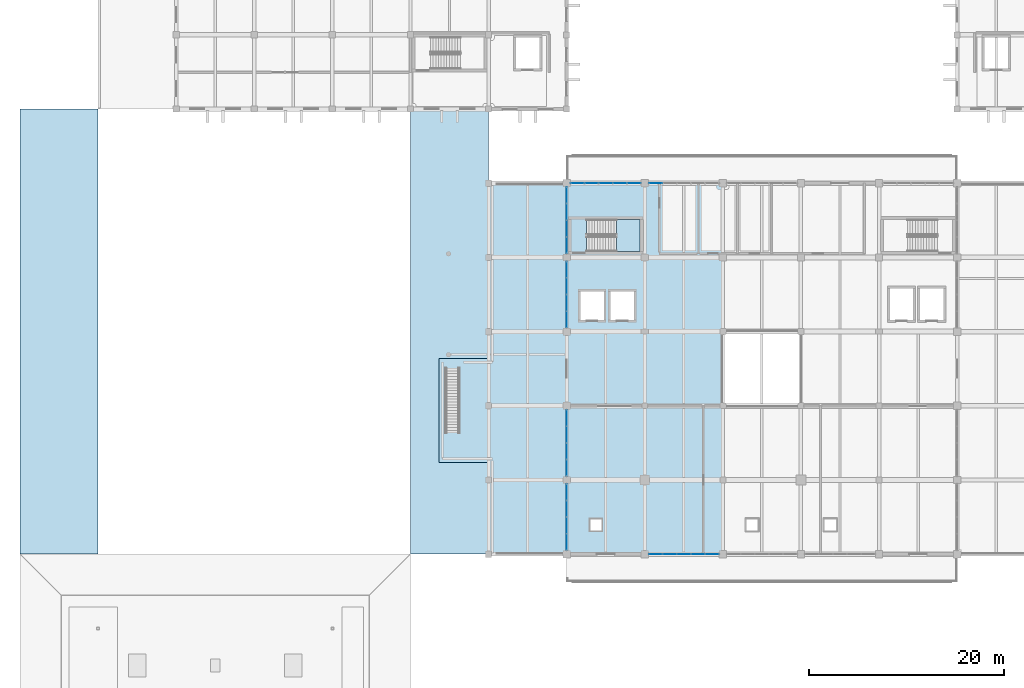
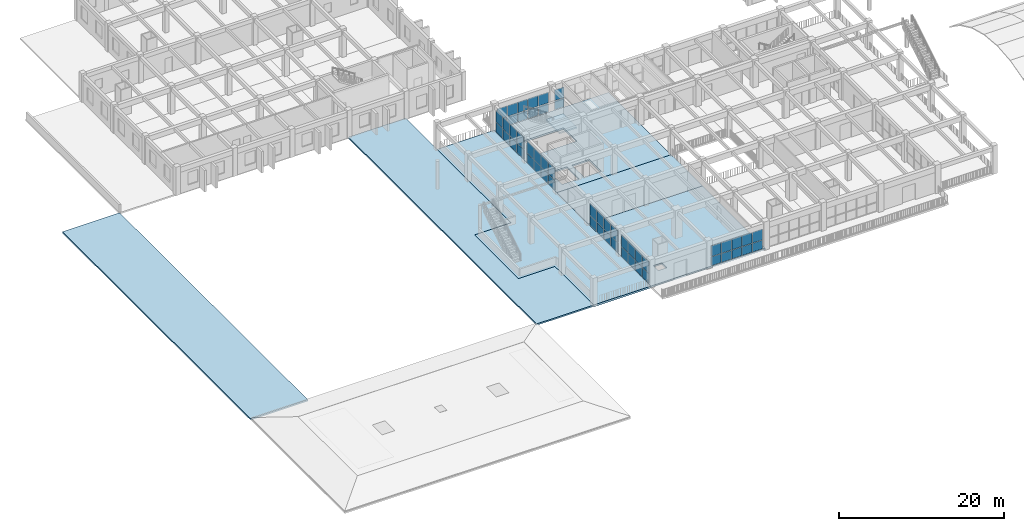
# One storey, part 32 of 63: 54 plates, 7 slabs, 8 elements without a shape of their own.
"""IFC4 building model written with IfcOpenShell, lengths in metres."""

from ifc_helpers import new_model, si_unit, direction, frame, origin, origin_2d, place, context, subcontext, project, spatial, polyline, rectangle, outline, extrude, material, layer, layer_set, type_object, element, aggregate, save


model = new_model("IFC4")

# Units and contexts
model_context = context("Model", 3, precision=1e-05, world=origin(), true_north=direction((0.0, 1.0)))
body_context = subcontext(model_context, "Body", "Model", "MODEL_VIEW")
ifc_project = project(units=[si_unit("LENGTHUNIT", "METRE"), si_unit("AREAUNIT", "SQUARE_METRE"), si_unit("VOLUMEUNIT", "CUBIC_METRE"), si_unit("PLANEANGLEUNIT", "RADIAN"), si_unit("MASSUNIT", "GRAM", prefix="KILO")], contexts=[model_context])

# Site, building, storey
site_placement = place(None, origin())
site = spatial("IfcSite", under=ifc_project, at=site_placement, CompositionType="ELEMENT")
building_placement = place(site_placement, origin())
building = spatial("IfcBuilding", under=site, at=building_placement, Name="Zantavel Square City Hall", CompositionType="ELEMENT")
storey_placement = place(building_placement, frame((0.0, 0.0, 14.699951171875)))
storey = spatial("IfcBuildingStorey", under=building, at=storey_placement, Name="L04", CompositionType="ELEMENT", Elevation=14.699951171875)

# Stair, slab
ifc_material_1 = material(Name="Concrete C35/45", Category="concrete")
stair_type = type_object("IfcStairType", Name="Enclosed Core Dogleg Stair L04 H4200", PredefinedType="HALF_TURN_STAIR", material=ifc_material_1)
stair_placement = place(storey_placement, origin())
stair = element("IfcStair", 1, at=stair_placement, inside=storey, type_object=stair_type, Name="L04 Exit Stair 5 Central West Core", PredefinedType="HALF_TURN_STAIR")
ifc_layer_1 = layer(ifc_material_1, 0.2099609375, Name="Concrete C35/45")
ifc_layer_set_1 = layer_set([ifc_layer_1], Name="Concrete C35/45")
slab_type_1 = type_object("IfcSlabType", Name="Core Stair Half-Landing Slab C35/45", PredefinedType="LANDING", material=ifc_layer_set_1)
slab_1_placement = place(storey_placement, frame((0.0, 0.0, 1.900146484375)))
slab_1 = element("IfcSlab", 2, at=slab_1_placement, type_object=slab_type_1, Name="ST5 landing 1", PredefinedType="LANDING", context=body_context, shape_type="SweptSolid", body=[
    extrude(outline(polyline([(69.110107421875, 61.39990234375), (71.530029296875, 61.39990234375), (71.530029296875, 64.669921875), (69.110107421875, 64.669921875), (69.110107421875, 61.39990234375)])), origin(), (0.0, 0.0, 1.0), 0.199951171875),
])
aggregate(stair, [slab_1])

# Slabs
ifc_layer_2 = layer(ifc_material_1, 0.219970703125, Name="Concrete C35/45")
ifc_layer_set_2 = layer_set([ifc_layer_2], Name="Concrete C35/45")
slab_type_2 = type_object("IfcSlabType", Name="Insulated Flat Roof Slab 220mm C35/45", PredefinedType="ROOF", material=ifc_layer_set_2)
slab_2_placement = place(storey_placement, frame((0.0, 0.0, -0.219970703125)))
element("IfcSlab", 3, at=slab_2_placement, inside=storey, type_object=slab_type_2, Name="L04 Insulated Flat Roof Slab SLB-ROOF-V3-MANSARD-BASE2-1", PredefinedType="ROOF", context=body_context, shape_type="SweptSolid", body=[
    extrude(outline(polyline([(8.0, 76.0), (16.0, 76.0), (16.0, 30.39990234375), (8.0, 30.39990234375), (8.0, 76.0)])), origin(), (0.0, 0.0, 1.0), 0.219970703125),
])
slab_3_placement = place(storey_placement, frame((0.0, 0.0, -0.219970703125)))
element("IfcSlab", 4, at=slab_3_placement, inside=storey, type_object=slab_type_2, Name="L04 Insulated Flat Roof Slab SLB-ROOF-V3-MANSARD-BASE3-1", PredefinedType="ROOF", context=body_context, shape_type="SweptSolid", body=[
    extrude(outline(polyline([(56.0, 30.39990234375), (48.0, 30.39990234375), (48.0, 76.0), (56.0, 76.0), (56.0, 68.39990234375), (56.0, 50.449951171875), (50.89990234375, 50.449951171875), (50.89990234375, 39.800048828125), (56.0, 39.800048828125), (56.0, 30.39990234375)])), origin(), (0.0, 0.0, 1.0), 0.219970703125),
])

# Curtain wall, plates
ifc_material_2 = material(Name="Anodised aluminium 6063-T6", Category="aluminium")
curtain_wall_type_1 = type_object("IfcCurtainWallType", Name="Curtain Wall TRV1 7250x3070", PredefinedType="USERDEFINED", material=ifc_material_2)
curtain_wall_1_placement = place(storey_placement, origin())
curtain_wall_1 = element("IfcCurtainWall", 5, at=curtain_wall_1_placement, inside=storey, type_object=curtain_wall_type_1, Name="L04 Glazed Curtain Wall CW-L04-107", ObjectType="GLAZED CURTAIN WALL", PredefinedType="USERDEFINED")
ifc_material_3 = material(Name="Tempered safety glass low-E double glazing", Category="glass")
ifc_layer_3 = layer(ifc_material_3, 0.028076171875, Name="Tempered safety glass low-E double glazing")
ifc_layer_set_3 = layer_set([ifc_layer_3], Name="Tempered safety glass low-E double glazing")
plate_type_1 = type_object("IfcPlateType", Name="Low-E Curtain Glazing Panel 1450x1535x28", PredefinedType="CURTAIN_PANEL", material=ifc_layer_set_3)
plate_1_placement = place(storey_placement, frame((65.114990234375, 68.39990234375, 0.06005859375), z_axis=(0.0, 0.0, 1.0), x_axis=(1.0, 0.0, 0.0)))
plate_1 = element("IfcPlate", 6, at=plate_1_placement, type_object=plate_type_1, Name="CW-107 panel 1.1", PredefinedType="CURTAIN_PANEL", context=body_context, shape_type="SweptSolid", body=[
    extrude(rectangle(XDim=1.360107421875, YDim=0.028076171875, at=origin_2d()), origin(), (0.0, 0.0, 1.0), 1.291015625),
])
plate_2_placement = place(storey_placement, frame((65.114990234375, 68.39990234375, 1.410888671875), z_axis=(0.0, 0.0, 1.0), x_axis=(1.0, 0.0, 0.0)))
plate_2 = element("IfcPlate", 7, at=plate_2_placement, type_object=plate_type_1, Name="CW-107 panel 1.2", PredefinedType="CURTAIN_PANEL", context=body_context, shape_type="SweptSolid", body=[
    extrude(rectangle(XDim=1.360107421875, YDim=0.028076171875, at=origin_2d()), origin(), (0.0, 0.0, 1.0), 1.59912109375),
])
plate_3_placement = place(storey_placement, frame((66.550048828125, 68.39990234375, 0.06005859375), z_axis=(0.0, 0.0, 1.0), x_axis=(1.0, 0.0, 0.0)))
plate_3 = element("IfcPlate", 8, at=plate_3_placement, type_object=plate_type_1, Name="CW-107 panel 2.1", PredefinedType="CURTAIN_PANEL", context=body_context, shape_type="SweptSolid", body=[
    extrude(rectangle(XDim=1.389892578125, YDim=0.028076171875, at=origin_2d()), origin(), (0.0, 0.0, 1.0), 1.291015625),
])
plate_4_placement = place(storey_placement, frame((66.550048828125, 68.39990234375, 1.410888671875), z_axis=(0.0, 0.0, 1.0), x_axis=(1.0, 0.0, 0.0)))
plate_4 = element("IfcPlate", 9, at=plate_4_placement, type_object=plate_type_1, Name="CW-107 panel 2.2", PredefinedType="CURTAIN_PANEL", context=body_context, shape_type="SweptSolid", body=[
    extrude(rectangle(XDim=1.389892578125, YDim=0.028076171875, at=origin_2d()), origin(), (0.0, 0.0, 1.0), 1.59912109375),
])
plate_5_placement = place(storey_placement, frame((68.0, 68.39990234375, 0.06005859375), z_axis=(0.0, 0.0, 1.0), x_axis=(1.0, 0.0, 0.0)))
plate_5 = element("IfcPlate", 10, at=plate_5_placement, type_object=plate_type_1, Name="CW-107 panel 3.1", PredefinedType="CURTAIN_PANEL", context=body_context, shape_type="SweptSolid", body=[
    extrude(rectangle(XDim=1.389892578125, YDim=0.028076171875, at=origin_2d()), origin(), (0.0, 0.0, 1.0), 1.291015625),
])
plate_6_placement = place(storey_placement, frame((68.0, 68.39990234375, 1.410888671875), z_axis=(0.0, 0.0, 1.0), x_axis=(1.0, 0.0, 0.0)))
plate_6 = element("IfcPlate", 11, at=plate_6_placement, type_object=plate_type_1, Name="CW-107 panel 3.2", PredefinedType="CURTAIN_PANEL", context=body_context, shape_type="SweptSolid", body=[
    extrude(rectangle(XDim=1.389892578125, YDim=0.028076171875, at=origin_2d()), origin(), (0.0, 0.0, 1.0), 1.59912109375),
])
plate_7_placement = place(storey_placement, frame((69.449951171875, 68.39990234375, 0.06005859375), z_axis=(0.0, 0.0, 1.0), x_axis=(1.0, 0.0, 0.0)))
plate_7 = element("IfcPlate", 12, at=plate_7_placement, type_object=plate_type_1, Name="CW-107 panel 4.1", PredefinedType="CURTAIN_PANEL", context=body_context, shape_type="SweptSolid", body=[
    extrude(rectangle(XDim=1.389892578125, YDim=0.028076171875, at=origin_2d()), origin(), (0.0, 0.0, 1.0), 1.291015625),
])
plate_8_placement = place(storey_placement, frame((69.449951171875, 68.39990234375, 1.410888671875), z_axis=(0.0, 0.0, 1.0), x_axis=(1.0, 0.0, 0.0)))
plate_8 = element("IfcPlate", 13, at=plate_8_placement, type_object=plate_type_1, Name="CW-107 panel 4.2", PredefinedType="CURTAIN_PANEL", context=body_context, shape_type="SweptSolid", body=[
    extrude(rectangle(XDim=1.389892578125, YDim=0.028076171875, at=origin_2d()), origin(), (0.0, 0.0, 1.0), 1.59912109375),
])
plate_9_placement = place(storey_placement, frame((70.885009765625, 68.39990234375, 0.06005859375), z_axis=(0.0, 0.0, 1.0), x_axis=(1.0, 0.0, 0.0)))
plate_9 = element("IfcPlate", 14, at=plate_9_placement, type_object=plate_type_1, Name="CW-107 panel 5.1", PredefinedType="CURTAIN_PANEL", context=body_context, shape_type="SweptSolid", body=[
    extrude(rectangle(XDim=1.360107421875, YDim=0.028076171875, at=origin_2d()), origin(), (0.0, 0.0, 1.0), 1.291015625),
])
plate_10_placement = place(storey_placement, frame((70.885009765625, 68.39990234375, 1.410888671875), z_axis=(0.0, 0.0, 1.0), x_axis=(1.0, 0.0, 0.0)))
plate_10 = element("IfcPlate", 15, at=plate_10_placement, type_object=plate_type_1, Name="CW-107 panel 5.2", PredefinedType="CURTAIN_PANEL", context=body_context, shape_type="SweptSolid", body=[
    extrude(rectangle(XDim=1.360107421875, YDim=0.028076171875, at=origin_2d()), origin(), (0.0, 0.0, 1.0), 1.59912109375),
])
aggregate(curtain_wall_1, [plate_1, plate_2, plate_3, plate_4, plate_5, plate_6, plate_7, plate_8, plate_9, plate_10])

curtain_wall_2_placement = place(storey_placement, origin())
curtain_wall_2 = element("IfcCurtainWall", 16, at=curtain_wall_2_placement, inside=storey, type_object=curtain_wall_type_1, Name="L04 Glazed Curtain Wall CW-L04-108", ObjectType="GLAZED CURTAIN WALL", PredefinedType="USERDEFINED")
plate_11_placement = place(storey_placement, frame((73.114990234375, 68.39990234375, 0.06005859375), z_axis=(0.0, 0.0, 1.0), x_axis=(1.0, 0.0, 0.0)))
plate_11 = element("IfcPlate", 17, at=plate_11_placement, type_object=plate_type_1, Name="CW-108 panel 1.1", PredefinedType="CURTAIN_PANEL", context=body_context, shape_type="SweptSolid", body=[
    extrude(rectangle(XDim=1.360107421875, YDim=0.028076171875, at=origin_2d()), origin(), (0.0, 0.0, 1.0), 1.291015625),
])
plate_12_placement = place(storey_placement, frame((73.114990234375, 68.39990234375, 1.410888671875), z_axis=(0.0, 0.0, 1.0), x_axis=(1.0, 0.0, 0.0)))
plate_12 = element("IfcPlate", 18, at=plate_12_placement, type_object=plate_type_1, Name="CW-108 panel 1.2", PredefinedType="CURTAIN_PANEL", context=body_context, shape_type="SweptSolid", body=[
    extrude(rectangle(XDim=1.360107421875, YDim=0.028076171875, at=origin_2d()), origin(), (0.0, 0.0, 1.0), 1.59912109375),
])
aggregate(curtain_wall_2, [plate_11, plate_12])

curtain_wall_3_placement = place(storey_placement, origin())
curtain_wall_3 = element("IfcCurtainWall", 19, at=curtain_wall_3_placement, inside=storey, type_object=curtain_wall_type_1, Name="L04 Glazed Curtain Wall CW-L04-117", ObjectType="GLAZED CURTAIN WALL", PredefinedType="USERDEFINED")
plate_13_placement = place(storey_placement, frame((78.885009765625, 30.39990234375, 0.06005859375), z_axis=(0.0, 0.0, 1.0), x_axis=(-1.0, 0.0, 0.0)))
plate_13 = element("IfcPlate", 20, at=plate_13_placement, type_object=plate_type_1, Name="CW-117 panel 1.1", PredefinedType="CURTAIN_PANEL", context=body_context, shape_type="SweptSolid", body=[
    extrude(rectangle(XDim=1.360107421875, YDim=0.028076171875, at=origin_2d()), origin(), (0.0, 0.0, 1.0), 1.291015625),
])
plate_14_placement = place(storey_placement, frame((78.885009765625, 30.39990234375, 1.410888671875), z_axis=(0.0, 0.0, 1.0), x_axis=(-1.0, 0.0, 0.0)))
plate_14 = element("IfcPlate", 21, at=plate_14_placement, type_object=plate_type_1, Name="CW-117 panel 1.2", PredefinedType="CURTAIN_PANEL", context=body_context, shape_type="SweptSolid", body=[
    extrude(rectangle(XDim=1.360107421875, YDim=0.028076171875, at=origin_2d()), origin(), (0.0, 0.0, 1.0), 1.59912109375),
])
plate_15_placement = place(storey_placement, frame((77.449951171875, 30.39990234375, 0.06005859375), z_axis=(0.0, 0.0, 1.0), x_axis=(-1.0, 0.0, 0.0)))
plate_15 = element("IfcPlate", 22, at=plate_15_placement, type_object=plate_type_1, Name="CW-117 panel 2.1", PredefinedType="CURTAIN_PANEL", context=body_context, shape_type="SweptSolid", body=[
    extrude(rectangle(XDim=1.389892578125, YDim=0.028076171875, at=origin_2d()), origin(), (0.0, 0.0, 1.0), 1.291015625),
])
plate_16_placement = place(storey_placement, frame((77.449951171875, 30.39990234375, 1.410888671875), z_axis=(0.0, 0.0, 1.0), x_axis=(-1.0, 0.0, 0.0)))
plate_16 = element("IfcPlate", 23, at=plate_16_placement, type_object=plate_type_1, Name="CW-117 panel 2.2", PredefinedType="CURTAIN_PANEL", context=body_context, shape_type="SweptSolid", body=[
    extrude(rectangle(XDim=1.389892578125, YDim=0.028076171875, at=origin_2d()), origin(), (0.0, 0.0, 1.0), 1.59912109375),
])
plate_17_placement = place(storey_placement, frame((76.0, 30.39990234375, 0.06005859375), z_axis=(0.0, 0.0, 1.0), x_axis=(-1.0, 0.0, 0.0)))
plate_17 = element("IfcPlate", 24, at=plate_17_placement, type_object=plate_type_1, Name="CW-117 panel 3.1", PredefinedType="CURTAIN_PANEL", context=body_context, shape_type="SweptSolid", body=[
    extrude(rectangle(XDim=1.389892578125, YDim=0.028076171875, at=origin_2d()), origin(), (0.0, 0.0, 1.0), 1.291015625),
])
plate_18_placement = place(storey_placement, frame((76.0, 30.39990234375, 1.410888671875), z_axis=(0.0, 0.0, 1.0), x_axis=(-1.0, 0.0, 0.0)))
plate_18 = element("IfcPlate", 25, at=plate_18_placement, type_object=plate_type_1, Name="CW-117 panel 3.2", PredefinedType="CURTAIN_PANEL", context=body_context, shape_type="SweptSolid", body=[
    extrude(rectangle(XDim=1.389892578125, YDim=0.028076171875, at=origin_2d()), origin(), (0.0, 0.0, 1.0), 1.59912109375),
])
plate_19_placement = place(storey_placement, frame((74.550048828125, 30.39990234375, 0.06005859375), z_axis=(0.0, 0.0, 1.0), x_axis=(-1.0, 0.0, 0.0)))
plate_19 = element("IfcPlate", 26, at=plate_19_placement, type_object=plate_type_1, Name="CW-117 panel 4.1", PredefinedType="CURTAIN_PANEL", context=body_context, shape_type="SweptSolid", body=[
    extrude(rectangle(XDim=1.389892578125, YDim=0.028076171875, at=origin_2d()), origin(), (0.0, 0.0, 1.0), 1.291015625),
])
plate_20_placement = place(storey_placement, frame((74.550048828125, 30.39990234375, 1.410888671875), z_axis=(0.0, 0.0, 1.0), x_axis=(-1.0, 0.0, 0.0)))
plate_20 = element("IfcPlate", 27, at=plate_20_placement, type_object=plate_type_1, Name="CW-117 panel 4.2", PredefinedType="CURTAIN_PANEL", context=body_context, shape_type="SweptSolid", body=[
    extrude(rectangle(XDim=1.389892578125, YDim=0.028076171875, at=origin_2d()), origin(), (0.0, 0.0, 1.0), 1.59912109375),
])
plate_21_placement = place(storey_placement, frame((73.114990234375, 30.39990234375, 0.06005859375), z_axis=(0.0, 0.0, 1.0), x_axis=(-1.0, 0.0, 0.0)))
plate_21 = element("IfcPlate", 28, at=plate_21_placement, type_object=plate_type_1, Name="CW-117 panel 5.1", PredefinedType="CURTAIN_PANEL", context=body_context, shape_type="SweptSolid", body=[
    extrude(rectangle(XDim=1.360107421875, YDim=0.028076171875, at=origin_2d()), origin(), (0.0, 0.0, 1.0), 1.291015625),
])
plate_22_placement = place(storey_placement, frame((73.114990234375, 30.39990234375, 1.410888671875), z_axis=(0.0, 0.0, 1.0), x_axis=(-1.0, 0.0, 0.0)))
plate_22 = element("IfcPlate", 29, at=plate_22_placement, type_object=plate_type_1, Name="CW-117 panel 5.2", PredefinedType="CURTAIN_PANEL", context=body_context, shape_type="SweptSolid", body=[
    extrude(rectangle(XDim=1.360107421875, YDim=0.028076171875, at=origin_2d()), origin(), (0.0, 0.0, 1.0), 1.59912109375),
])
aggregate(curtain_wall_3, [plate_13, plate_14, plate_15, plate_16, plate_17, plate_18, plate_19, plate_20, plate_21, plate_22])

curtain_wall_type_2 = type_object("IfcCurtainWallType", Name="Curtain Wall TRV1 6850x3370", PredefinedType="USERDEFINED", material=ifc_material_2)
curtain_wall_4_placement = place(storey_placement, origin())
curtain_wall_4 = element("IfcCurtainWall", 30, at=curtain_wall_4_placement, inside=storey, type_object=curtain_wall_type_2, Name="L04 Glazed Curtain Wall CW-L04-120", ObjectType="GLAZED CURTAIN WALL", PredefinedType="USERDEFINED")
ifc_layer_4 = layer(ifc_material_3, 0.028076171875, Name="Tempered safety glass low-E double glazing")
ifc_layer_set_4 = layer_set([ifc_layer_4], Name="Tempered safety glass low-E double glazing")
plate_type_2 = type_object("IfcPlateType", Name="Low-E Curtain Glazing Panel 1712x1685x28", PredefinedType="CURTAIN_PANEL", material=ifc_layer_set_4)
plate_23_placement = place(storey_placement, frame((64.0, 54.4462890625, 0.06005859375), z_axis=(0.0, 0.0, 1.0), x_axis=(0.0, 1.0, 0.0)))
plate_23 = element("IfcPlate", 31, at=plate_23_placement, type_object=plate_type_2, Name="CW-120 panel 1.1", PredefinedType="CURTAIN_PANEL", context=body_context, shape_type="SweptSolid", body=[
    extrude(rectangle(XDim=1.62255859375, YDim=0.028076171875, at=origin_2d()), origin(), (0.0, 0.0, 1.0), 1.427001953125),
])
plate_24_placement = place(storey_placement, frame((64.0, 54.4462890625, 1.546875), z_axis=(0.0, 0.0, 1.0), x_axis=(0.0, 1.0, 0.0)))
plate_24 = element("IfcPlate", 32, at=plate_24_placement, type_object=plate_type_2, Name="CW-120 panel 1.2", PredefinedType="CURTAIN_PANEL", context=body_context, shape_type="SweptSolid", body=[
    extrude(rectangle(XDim=1.62255859375, YDim=0.028076171875, at=origin_2d()), origin(), (0.0, 0.0, 1.0), 1.762939453125),
])
plate_25_placement = place(storey_placement, frame((64.0, 56.143798828125, 0.06005859375), z_axis=(0.0, 0.0, 1.0), x_axis=(0.0, 1.0, 0.0)))
plate_25 = element("IfcPlate", 33, at=plate_25_placement, type_object=plate_type_2, Name="CW-120 panel 2.1", PredefinedType="CURTAIN_PANEL", context=body_context, shape_type="SweptSolid", body=[
    extrude(rectangle(XDim=1.652587890625, YDim=0.028076171875, at=origin_2d()), origin(), (0.0, 0.0, 1.0), 1.427001953125),
])
plate_26_placement = place(storey_placement, frame((64.0, 56.143798828125, 1.546875), z_axis=(0.0, 0.0, 1.0), x_axis=(0.0, 1.0, 0.0)))
plate_26 = element("IfcPlate", 34, at=plate_26_placement, type_object=plate_type_2, Name="CW-120 panel 2.2", PredefinedType="CURTAIN_PANEL", context=body_context, shape_type="SweptSolid", body=[
    extrude(rectangle(XDim=1.652587890625, YDim=0.028076171875, at=origin_2d()), origin(), (0.0, 0.0, 1.0), 1.762939453125),
])
plate_27_placement = place(storey_placement, frame((64.0, 57.856201171875, 0.06005859375), z_axis=(0.0, 0.0, 1.0), x_axis=(0.0, 1.0, 0.0)))
plate_27 = element("IfcPlate", 35, at=plate_27_placement, type_object=plate_type_2, Name="CW-120 panel 3.1", PredefinedType="CURTAIN_PANEL", context=body_context, shape_type="SweptSolid", body=[
    extrude(rectangle(XDim=1.652587890625, YDim=0.028076171875, at=origin_2d()), origin(), (0.0, 0.0, 1.0), 1.427001953125),
])
plate_28_placement = place(storey_placement, frame((64.0, 57.856201171875, 1.546875), z_axis=(0.0, 0.0, 1.0), x_axis=(0.0, 1.0, 0.0)))
plate_28 = element("IfcPlate", 36, at=plate_28_placement, type_object=plate_type_2, Name="CW-120 panel 3.2", PredefinedType="CURTAIN_PANEL", context=body_context, shape_type="SweptSolid", body=[
    extrude(rectangle(XDim=1.652587890625, YDim=0.028076171875, at=origin_2d()), origin(), (0.0, 0.0, 1.0), 1.762939453125),
])
plate_29_placement = place(storey_placement, frame((64.0, 59.5537109375, 0.06005859375), z_axis=(0.0, 0.0, 1.0), x_axis=(0.0, 1.0, 0.0)))
plate_29 = element("IfcPlate", 37, at=plate_29_placement, type_object=plate_type_2, Name="CW-120 panel 4.1", PredefinedType="CURTAIN_PANEL", context=body_context, shape_type="SweptSolid", body=[
    extrude(rectangle(XDim=1.62255859375, YDim=0.028076171875, at=origin_2d()), origin(), (0.0, 0.0, 1.0), 1.427001953125),
])
plate_30_placement = place(storey_placement, frame((64.0, 59.5537109375, 1.546875), z_axis=(0.0, 0.0, 1.0), x_axis=(0.0, 1.0, 0.0)))
plate_30 = element("IfcPlate", 38, at=plate_30_placement, type_object=plate_type_2, Name="CW-120 panel 4.2", PredefinedType="CURTAIN_PANEL", context=body_context, shape_type="SweptSolid", body=[
    extrude(rectangle(XDim=1.62255859375, YDim=0.028076171875, at=origin_2d()), origin(), (0.0, 0.0, 1.0), 1.762939453125),
])
aggregate(curtain_wall_4, [plate_23, plate_24, plate_25, plate_26, plate_27, plate_28, plate_29, plate_30])

curtain_wall_5_placement = place(storey_placement, origin())
curtain_wall_5 = element("IfcCurtainWall", 39, at=curtain_wall_5_placement, inside=storey, type_object=curtain_wall_type_2, Name="L04 Glazed Curtain Wall CW-L04-118", ObjectType="GLAZED CURTAIN WALL", PredefinedType="USERDEFINED")
ifc_layer_5 = layer(ifc_material_3, 0.028076171875, Name="Tempered safety glass low-E double glazing")
ifc_layer_set_5 = layer_set([ifc_layer_5], Name="Tempered safety glass low-E double glazing")
plate_type_3 = type_object("IfcPlateType", Name="Low-E Curtain Glazing Panel 1713x1685x28", PredefinedType="CURTAIN_PANEL", material=ifc_layer_set_5)
plate_31_placement = place(storey_placement, frame((64.0, 31.646240234375, 0.06005859375), z_axis=(0.0, 0.0, 1.0), x_axis=(0.0, 1.0, 0.0)))
plate_31 = element("IfcPlate", 40, at=plate_31_placement, type_object=plate_type_3, Name="CW-118 panel 1.1", PredefinedType="CURTAIN_PANEL", context=body_context, shape_type="SweptSolid", body=[
    extrude(rectangle(XDim=1.62255859375, YDim=0.028076171875, at=origin_2d()), origin(), (0.0, 0.0, 1.0), 1.427001953125),
])
plate_32_placement = place(storey_placement, frame((64.0, 31.646240234375, 1.546875), z_axis=(0.0, 0.0, 1.0), x_axis=(0.0, 1.0, 0.0)))
plate_32 = element("IfcPlate", 41, at=plate_32_placement, type_object=plate_type_3, Name="CW-118 panel 1.2", PredefinedType="CURTAIN_PANEL", context=body_context, shape_type="SweptSolid", body=[
    extrude(rectangle(XDim=1.62255859375, YDim=0.028076171875, at=origin_2d()), origin(), (0.0, 0.0, 1.0), 1.762939453125),
])
plate_33_placement = place(storey_placement, frame((64.0, 33.34375, 0.06005859375), z_axis=(0.0, 0.0, 1.0), x_axis=(0.0, 1.0, 0.0)))
plate_33 = element("IfcPlate", 42, at=plate_33_placement, type_object=plate_type_3, Name="CW-118 panel 2.1", PredefinedType="CURTAIN_PANEL", context=body_context, shape_type="SweptSolid", body=[
    extrude(rectangle(XDim=1.652587890625, YDim=0.028076171875, at=origin_2d()), origin(), (0.0, 0.0, 1.0), 1.427001953125),
])
plate_34_placement = place(storey_placement, frame((64.0, 33.34375, 1.546875), z_axis=(0.0, 0.0, 1.0), x_axis=(0.0, 1.0, 0.0)))
plate_34 = element("IfcPlate", 43, at=plate_34_placement, type_object=plate_type_3, Name="CW-118 panel 2.2", PredefinedType="CURTAIN_PANEL", context=body_context, shape_type="SweptSolid", body=[
    extrude(rectangle(XDim=1.652587890625, YDim=0.028076171875, at=origin_2d()), origin(), (0.0, 0.0, 1.0), 1.762939453125),
])
plate_35_placement = place(storey_placement, frame((64.0, 35.05615234375, 0.06005859375), z_axis=(0.0, 0.0, 1.0), x_axis=(0.0, 1.0, 0.0)))
plate_35 = element("IfcPlate", 44, at=plate_35_placement, type_object=plate_type_3, Name="CW-118 panel 3.1", PredefinedType="CURTAIN_PANEL", context=body_context, shape_type="SweptSolid", body=[
    extrude(rectangle(XDim=1.652587890625, YDim=0.028076171875, at=origin_2d()), origin(), (0.0, 0.0, 1.0), 1.427001953125),
])
plate_36_placement = place(storey_placement, frame((64.0, 35.05615234375, 1.546875), z_axis=(0.0, 0.0, 1.0), x_axis=(0.0, 1.0, 0.0)))
plate_36 = element("IfcPlate", 45, at=plate_36_placement, type_object=plate_type_3, Name="CW-118 panel 3.2", PredefinedType="CURTAIN_PANEL", context=body_context, shape_type="SweptSolid", body=[
    extrude(rectangle(XDim=1.652587890625, YDim=0.028076171875, at=origin_2d()), origin(), (0.0, 0.0, 1.0), 1.762939453125),
])
plate_37_placement = place(storey_placement, frame((64.0, 36.753662109375, 0.06005859375), z_axis=(0.0, 0.0, 1.0), x_axis=(0.0, 1.0, 0.0)))
plate_37 = element("IfcPlate", 46, at=plate_37_placement, type_object=plate_type_3, Name="CW-118 panel 4.1", PredefinedType="CURTAIN_PANEL", context=body_context, shape_type="SweptSolid", body=[
    extrude(rectangle(XDim=1.62255859375, YDim=0.028076171875, at=origin_2d()), origin(), (0.0, 0.0, 1.0), 1.427001953125),
])
plate_38_placement = place(storey_placement, frame((64.0, 36.753662109375, 1.546875), z_axis=(0.0, 0.0, 1.0), x_axis=(0.0, 1.0, 0.0)))
plate_38 = element("IfcPlate", 47, at=plate_38_placement, type_object=plate_type_3, Name="CW-118 panel 4.2", PredefinedType="CURTAIN_PANEL", context=body_context, shape_type="SweptSolid", body=[
    extrude(rectangle(XDim=1.62255859375, YDim=0.028076171875, at=origin_2d()), origin(), (0.0, 0.0, 1.0), 1.762939453125),
])
aggregate(curtain_wall_5, [plate_31, plate_32, plate_33, plate_34, plate_35, plate_36, plate_37, plate_38])

curtain_wall_6_placement = place(storey_placement, origin())
curtain_wall_6 = element("IfcCurtainWall", 48, at=curtain_wall_6_placement, inside=storey, type_object=curtain_wall_type_2, Name="L04 Glazed Curtain Wall CW-L04-119", ObjectType="GLAZED CURTAIN WALL", PredefinedType="USERDEFINED")
plate_39_placement = place(storey_placement, frame((64.0, 39.246337890625, 0.06005859375), z_axis=(0.0, 0.0, 1.0), x_axis=(0.0, 1.0, 0.0)))
plate_39 = element("IfcPlate", 49, at=plate_39_placement, type_object=plate_type_3, Name="CW-119 panel 1.1", PredefinedType="CURTAIN_PANEL", context=body_context, shape_type="SweptSolid", body=[
    extrude(rectangle(XDim=1.62255859375, YDim=0.028076171875, at=origin_2d()), origin(), (0.0, 0.0, 1.0), 1.427001953125),
])
plate_40_placement = place(storey_placement, frame((64.0, 39.246337890625, 1.546875), z_axis=(0.0, 0.0, 1.0), x_axis=(0.0, 1.0, 0.0)))
plate_40 = element("IfcPlate", 50, at=plate_40_placement, type_object=plate_type_3, Name="CW-119 panel 1.2", PredefinedType="CURTAIN_PANEL", context=body_context, shape_type="SweptSolid", body=[
    extrude(rectangle(XDim=1.62255859375, YDim=0.028076171875, at=origin_2d()), origin(), (0.0, 0.0, 1.0), 1.762939453125),
])
plate_41_placement = place(storey_placement, frame((64.0, 40.94384765625, 0.06005859375), z_axis=(0.0, 0.0, 1.0), x_axis=(0.0, 1.0, 0.0)))
plate_41 = element("IfcPlate", 51, at=plate_41_placement, type_object=plate_type_3, Name="CW-119 panel 2.1", PredefinedType="CURTAIN_PANEL", context=body_context, shape_type="SweptSolid", body=[
    extrude(rectangle(XDim=1.652587890625, YDim=0.028076171875, at=origin_2d()), origin(), (0.0, 0.0, 1.0), 1.427001953125),
])
plate_42_placement = place(storey_placement, frame((64.0, 40.94384765625, 1.546875), z_axis=(0.0, 0.0, 1.0), x_axis=(0.0, 1.0, 0.0)))
plate_42 = element("IfcPlate", 52, at=plate_42_placement, type_object=plate_type_3, Name="CW-119 panel 2.2", PredefinedType="CURTAIN_PANEL", context=body_context, shape_type="SweptSolid", body=[
    extrude(rectangle(XDim=1.652587890625, YDim=0.028076171875, at=origin_2d()), origin(), (0.0, 0.0, 1.0), 1.762939453125),
])
plate_43_placement = place(storey_placement, frame((64.0, 42.65625, 0.06005859375), z_axis=(0.0, 0.0, 1.0), x_axis=(0.0, 1.0, 0.0)))
plate_43 = element("IfcPlate", 53, at=plate_43_placement, type_object=plate_type_3, Name="CW-119 panel 3.1", PredefinedType="CURTAIN_PANEL", context=body_context, shape_type="SweptSolid", body=[
    extrude(rectangle(XDim=1.652587890625, YDim=0.028076171875, at=origin_2d()), origin(), (0.0, 0.0, 1.0), 1.427001953125),
])
plate_44_placement = place(storey_placement, frame((64.0, 42.65625, 1.546875), z_axis=(0.0, 0.0, 1.0), x_axis=(0.0, 1.0, 0.0)))
plate_44 = element("IfcPlate", 54, at=plate_44_placement, type_object=plate_type_3, Name="CW-119 panel 3.2", PredefinedType="CURTAIN_PANEL", context=body_context, shape_type="SweptSolid", body=[
    extrude(rectangle(XDim=1.652587890625, YDim=0.028076171875, at=origin_2d()), origin(), (0.0, 0.0, 1.0), 1.762939453125),
])
plate_45_placement = place(storey_placement, frame((64.0, 44.353759765625, 0.06005859375), z_axis=(0.0, 0.0, 1.0), x_axis=(0.0, 1.0, 0.0)))
plate_45 = element("IfcPlate", 55, at=plate_45_placement, type_object=plate_type_3, Name="CW-119 panel 4.1", PredefinedType="CURTAIN_PANEL", context=body_context, shape_type="SweptSolid", body=[
    extrude(rectangle(XDim=1.62255859375, YDim=0.028076171875, at=origin_2d()), origin(), (0.0, 0.0, 1.0), 1.427001953125),
])
plate_46_placement = place(storey_placement, frame((64.0, 44.353759765625, 1.546875), z_axis=(0.0, 0.0, 1.0), x_axis=(0.0, 1.0, 0.0)))
plate_46 = element("IfcPlate", 56, at=plate_46_placement, type_object=plate_type_3, Name="CW-119 panel 4.2", PredefinedType="CURTAIN_PANEL", context=body_context, shape_type="SweptSolid", body=[
    extrude(rectangle(XDim=1.62255859375, YDim=0.028076171875, at=origin_2d()), origin(), (0.0, 0.0, 1.0), 1.762939453125),
])
aggregate(curtain_wall_6, [plate_39, plate_40, plate_41, plate_42, plate_43, plate_44, plate_45, plate_46])

curtain_wall_7_placement = place(storey_placement, origin())
curtain_wall_7 = element("IfcCurtainWall", 57, at=curtain_wall_7_placement, inside=storey, type_object=curtain_wall_type_2, Name="L04 Glazed Curtain Wall CW-L04-121", ObjectType="GLAZED CURTAIN WALL", PredefinedType="USERDEFINED")
plate_47_placement = place(storey_placement, frame((64.0, 62.046142578125, 0.06005859375), z_axis=(0.0, 0.0, 1.0), x_axis=(0.0, 1.0, 0.0)))
plate_47 = element("IfcPlate", 58, at=plate_47_placement, type_object=plate_type_3, Name="CW-121 panel 1.1", PredefinedType="CURTAIN_PANEL", context=body_context, shape_type="SweptSolid", body=[
    extrude(rectangle(XDim=1.62255859375, YDim=0.028076171875, at=origin_2d()), origin(), (0.0, 0.0, 1.0), 1.427001953125),
])
plate_48_placement = place(storey_placement, frame((64.0, 62.046142578125, 1.546875), z_axis=(0.0, 0.0, 1.0), x_axis=(0.0, 1.0, 0.0)))
plate_48 = element("IfcPlate", 59, at=plate_48_placement, type_object=plate_type_3, Name="CW-121 panel 1.2", PredefinedType="CURTAIN_PANEL", context=body_context, shape_type="SweptSolid", body=[
    extrude(rectangle(XDim=1.62255859375, YDim=0.028076171875, at=origin_2d()), origin(), (0.0, 0.0, 1.0), 1.762939453125),
])
plate_49_placement = place(storey_placement, frame((64.0, 63.74365234375, 0.06005859375), z_axis=(0.0, 0.0, 1.0), x_axis=(0.0, 1.0, 0.0)))
plate_49 = element("IfcPlate", 60, at=plate_49_placement, type_object=plate_type_3, Name="CW-121 panel 2.1", PredefinedType="CURTAIN_PANEL", context=body_context, shape_type="SweptSolid", body=[
    extrude(rectangle(XDim=1.652587890625, YDim=0.028076171875, at=origin_2d()), origin(), (0.0, 0.0, 1.0), 1.427001953125),
])
plate_50_placement = place(storey_placement, frame((64.0, 63.74365234375, 1.546875), z_axis=(0.0, 0.0, 1.0), x_axis=(0.0, 1.0, 0.0)))
plate_50 = element("IfcPlate", 61, at=plate_50_placement, type_object=plate_type_3, Name="CW-121 panel 2.2", PredefinedType="CURTAIN_PANEL", context=body_context, shape_type="SweptSolid", body=[
    extrude(rectangle(XDim=1.652587890625, YDim=0.028076171875, at=origin_2d()), origin(), (0.0, 0.0, 1.0), 1.762939453125),
])
plate_51_placement = place(storey_placement, frame((64.0, 65.456298828125, 0.06005859375), z_axis=(0.0, 0.0, 1.0), x_axis=(0.0, 1.0, 0.0)))
plate_51 = element("IfcPlate", 62, at=plate_51_placement, type_object=plate_type_3, Name="CW-121 panel 3.1", PredefinedType="CURTAIN_PANEL", context=body_context, shape_type="SweptSolid", body=[
    extrude(rectangle(XDim=1.652587890625, YDim=0.028076171875, at=origin_2d()), origin(), (0.0, 0.0, 1.0), 1.427001953125),
])
plate_52_placement = place(storey_placement, frame((64.0, 65.456298828125, 1.546875), z_axis=(0.0, 0.0, 1.0), x_axis=(0.0, 1.0, 0.0)))
plate_52 = element("IfcPlate", 63, at=plate_52_placement, type_object=plate_type_3, Name="CW-121 panel 3.2", PredefinedType="CURTAIN_PANEL", context=body_context, shape_type="SweptSolid", body=[
    extrude(rectangle(XDim=1.652587890625, YDim=0.028076171875, at=origin_2d()), origin(), (0.0, 0.0, 1.0), 1.762939453125),
])
plate_53_placement = place(storey_placement, frame((64.0, 67.15380859375, 0.06005859375), z_axis=(0.0, 0.0, 1.0), x_axis=(0.0, 1.0, 0.0)))
plate_53 = element("IfcPlate", 64, at=plate_53_placement, type_object=plate_type_3, Name="CW-121 panel 4.1", PredefinedType="CURTAIN_PANEL", context=body_context, shape_type="SweptSolid", body=[
    extrude(rectangle(XDim=1.62255859375, YDim=0.028076171875, at=origin_2d()), origin(), (0.0, 0.0, 1.0), 1.427001953125),
])
plate_54_placement = place(storey_placement, frame((64.0, 67.15380859375, 1.546875), z_axis=(0.0, 0.0, 1.0), x_axis=(0.0, 1.0, 0.0)))
plate_54 = element("IfcPlate", 65, at=plate_54_placement, type_object=plate_type_3, Name="CW-121 panel 4.2", PredefinedType="CURTAIN_PANEL", context=body_context, shape_type="SweptSolid", body=[
    extrude(rectangle(XDim=1.62255859375, YDim=0.028076171875, at=origin_2d()), origin(), (0.0, 0.0, 1.0), 1.762939453125),
])
aggregate(curtain_wall_7, [plate_47, plate_48, plate_49, plate_50, plate_51, plate_52, plate_53, plate_54])

# Slabs
ifc_layer_6 = layer(ifc_material_1, 0.239990234375, Name="Concrete C35/45")
ifc_layer_set_6 = layer_set([ifc_layer_6], Name="Concrete C35/45")
slab_type_3 = type_object("IfcSlabType", Name="Standard Office Floor Slab 240mm C35/45", PredefinedType="FLOOR", material=ifc_layer_set_6)
slab_4_placement = place(storey_placement, frame((0.0, 0.0, -0.239990234375)))
element("IfcSlab", 66, at=slab_4_placement, inside=storey, type_object=slab_type_3, Name="L04 Floor Slab SLB-L04-V1-01", PredefinedType="FLOOR", context=body_context, shape_type="SweptSolid", body=[
    extrude(outline(polyline([(64.0, 45.60009765625), (80.0, 45.60009765625), (80.0, 30.39990234375), (64.0, 30.39990234375), (64.0, 45.60009765625)]), holes=[polyline([(67.60009765625, 34.0), (66.39990234375, 34.0), (66.39990234375, 32.800048828125), (67.60009765625, 32.800048828125), (67.60009765625, 34.0)])]), origin(), (0.0, 0.0, 1.0), 0.239990234375),
])
slab_5_placement = place(storey_placement, frame((0.0, 0.0, -0.239990234375)))
element("IfcSlab", 67, at=slab_5_placement, inside=storey, type_object=slab_type_3, Name="L04 Floor Slab SLB-L04-V1-04", PredefinedType="FLOOR", context=body_context, shape_type="SweptSolid", body=[
    extrude(outline(polyline([(80.0, 53.199951171875), (80.0, 45.60009765625), (80.0, 45.60009765625), (64.0, 45.60009765625), (64.0, 53.199951171875), (80.0, 53.199951171875)])), origin(), (0.0, 0.0, 1.0), 0.239990234375),
])
slab_6_placement = place(storey_placement, frame((0.0, 0.0, -0.239990234375)))
element("IfcSlab", 68, at=slab_6_placement, inside=storey, type_object=slab_type_3, Name="L04 Floor Slab SLB-L04-V1-07", PredefinedType="FLOOR", context=body_context, shape_type="SweptSolid", body=[
    extrude(outline(polyline([(64.0, 53.199951171875), (64.0, 68.39990234375), (80.0, 68.39990234375), (80.0, 53.199951171875), (80.0, 53.199951171875), (64.0, 53.199951171875)]), holes=[polyline([(66.050048828125, 61.39990234375), (71.530029296875, 61.39990234375), (71.530029296875, 64.669921875), (66.050048828125, 64.669921875), (66.050048828125, 61.39990234375)]), polyline([(65.39990234375, 57.300048828125), (65.39990234375, 54.39990234375), (67.800048828125, 54.39990234375), (67.800048828125, 57.300048828125), (65.39990234375, 57.300048828125)]), polyline([(70.89990234375, 57.300048828125), (68.5, 57.300048828125), (68.5, 54.39990234375), (70.89990234375, 54.39990234375), (70.89990234375, 57.300048828125)])]), origin(), (0.0, 0.0, 1.0), 0.239990234375),
])
ifc_material_4 = material(Name="Precast concrete C40/50", Category="concrete")
ifc_layer_7 = layer(ifc_material_4, 0.280029296875, Name="Precast concrete C40/50")
ifc_layer_set_7 = layer_set([ifc_layer_7], Name="Precast concrete C40/50")
slab_type_4 = type_object("IfcSlabType", Name="White Cantera Tray Slab 280mm C40/50", PredefinedType="FLOOR", material=ifc_layer_set_7)
slab_7_placement = place(storey_placement, frame((0.0, 0.0, -0.280029296875)))
element("IfcSlab", 69, at=slab_7_placement, inside=storey, type_object=slab_type_4, Name="L04 Outdoor Terrace Slab SLB-L04-TERR-W", PredefinedType="FLOOR", context=body_context, shape_type="SweptSolid", body=[
    extrude(outline(polyline([(64.0, 53.199951171875), (64.0, 45.60009765625), (64.0, 30.39990234375), (56.0, 30.39990234375), (56.0, 39.800048828125), (50.89990234375, 39.800048828125), (50.89990234375, 50.449951171875), (56.0, 50.449951171875), (56.0, 68.39990234375), (64.0, 68.39990234375), (64.0, 53.199951171875)])), origin(), (0.0, 0.0, 1.0), 0.280029296875),
])

save(model, "model.ifc")
